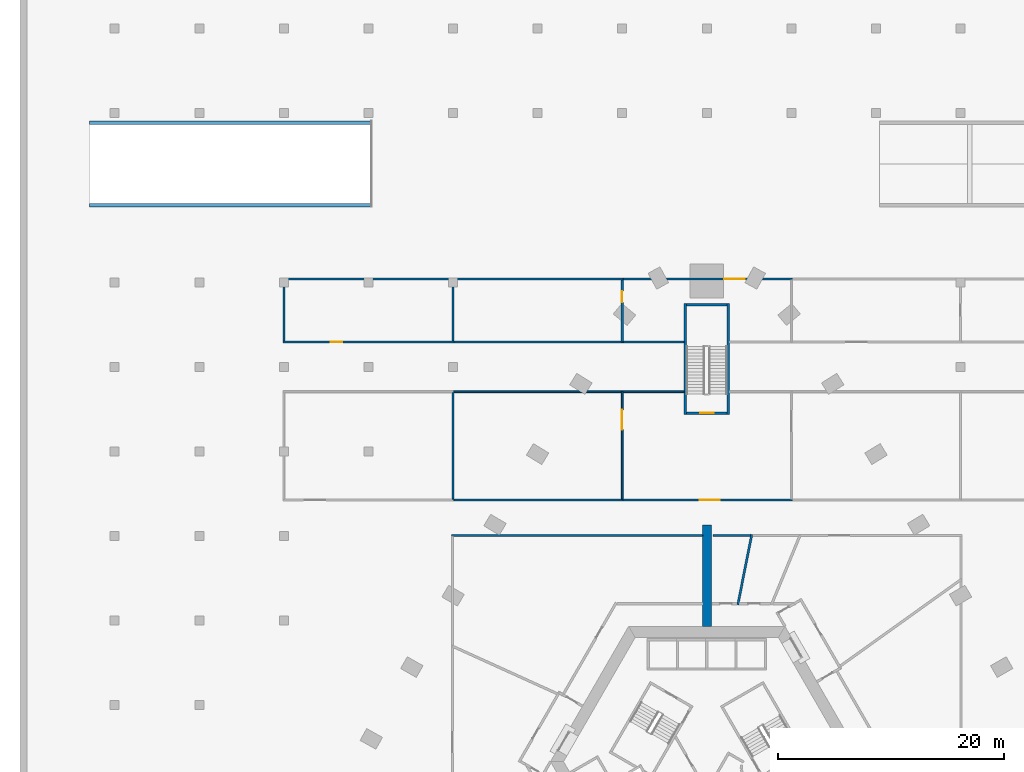
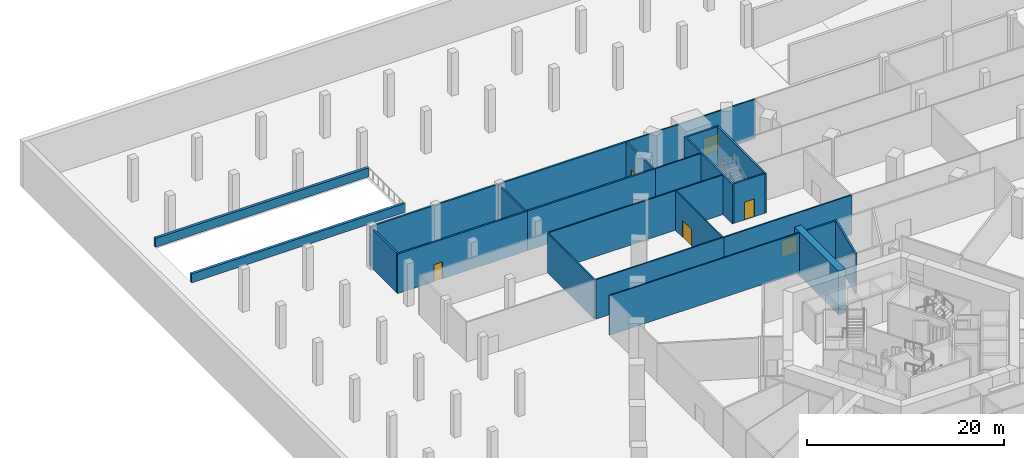
# One storey, part 11 of 20: 25 walls, 6 doors, 6 openings.
"""IFC4 building model written with IfcOpenShell, lengths in metres."""

from ifc_helpers import new_model, si_unit, direction, frame, frame_2d, origin, place, context, subcontext, project, spatial, rectangle, extrude, material, layer, layer_set, type_object, element, fill, save


model = new_model("IFC4")

# Units and contexts
model_context = context("Model", 3, precision=1e-05, world=origin(), true_north=direction((0.0, 1.0)))
body_context = subcontext(model_context, "Body", "Model", "MODEL_VIEW")
ifc_project = project(units=[si_unit("LENGTHUNIT", "METRE"), si_unit("AREAUNIT", "SQUARE_METRE"), si_unit("VOLUMEUNIT", "CUBIC_METRE"), si_unit("PLANEANGLEUNIT", "RADIAN"), si_unit("MASSUNIT", "GRAM", prefix="KILO")], contexts=[model_context])

# Site, building, storey
site_placement = place(None, origin())
site = spatial("IfcSite", under=ifc_project, at=site_placement, CompositionType="ELEMENT")
building_placement = place(site_placement, origin())
building = spatial("IfcBuilding", under=site, at=building_placement, Name="Entoto Arch Interchange Tower", CompositionType="ELEMENT")
storey_placement = place(building_placement, frame((0.0, 0.0, -5.5)))
storey = spatial("IfcBuildingStorey", under=building, at=storey_placement, Name="B1", CompositionType="ELEMENT", Elevation=-5.5)

# Walls
ifc_material_1 = material(Name="Concrete C60/75", Category="concrete")
ifc_layer_1 = layer(ifc_material_1, 0.800048828125)
ifc_layer_set_1 = layer_set([ifc_layer_1], Name="Concrete C60/75")
wall_type_1 = type_object("IfcWallType", Name="Buttress wall 800 C60/75", PredefinedType="SHEAR", material=ifc_layer_set_1)
wall_1_placement = place(storey_placement, frame((0.0, 14.5, -0.419921875), z_axis=(0.0, 0.0, 1.0), x_axis=(0.0, 1.0, 0.0)))
element("IfcWall", 1, at=wall_1_placement, inside=storey, type_object=wall_type_1, Name="Buttress wall N B1", PredefinedType="SHEAR", context=body_context, shape_type="SweptSolid", body=[
    extrude(rectangle(XDim=9.0, YDim=0.800048828125, at=frame_2d((4.5, 0.0))), origin(), (0.0, 0.0, 1.0), 5.419921875),
])
ifc_material_2 = material(Name="Concrete C40/50", Category="concrete")
ifc_layer_2 = layer(ifc_material_2, 0.300048828125)
ifc_layer_set_2 = layer_set([ifc_layer_2], Name="Concrete C40/50")
wall_type_2 = type_object("IfcWallType", Name="Car ramp kerb wall 300 C40/50", PredefinedType="SOLIDWALL", material=ifc_layer_set_2)
for number, where, z_axis, x_axis, name in (
    (2, (-54.75, 51.85009765625, 0.0), (0.0, 0.0, 1.0), (1.0, 0.0, 0.0), "Car ramp R2 parapet wall"),
    (3, (-54.75, 59.14990234375, 0.0), (0.0, 0.0, 1.0), (1.0, 0.0, 0.0), "Car ramp R2 parapet wall"),
):
    element("IfcWall", number, at=place(storey_placement, frame(where, z_axis=z_axis, x_axis=x_axis)), inside=storey, type_object=wall_type_2, Name=name, PredefinedType="SOLIDWALL", context=body_context, shape_type="SweptSolid", body=[
        extrude(rectangle(XDim=25.0, YDim=0.300048828125, at=frame_2d((12.5, 0.0))), origin(), (0.0, 0.0, 1.0), 1.10009765625),
    ])
ifc_material_3 = material(Name="Gypsum board partition on steel studs", Category="steel")
ifc_layer_3 = layer(ifc_material_3, 0.14990234375)
ifc_layer_set_3 = layer_set([ifc_layer_3], Name="Gypsum board partition on steel studs")
wall_type_3 = type_object("IfcWallType", Name="PARTITION 150", PredefinedType="PARTITIONING", material=ifc_layer_set_3)
wall_2_placement = place(storey_placement, frame((-22.625, 22.550048828125, 0.0), z_axis=(0.0, 0.0, 1.0), x_axis=(1.0, 0.0, 0.0)))
element("IfcWall", 4, at=wall_2_placement, inside=storey, type_object=wall_type_3, Name="wall:B1:p049", PredefinedType="PARTITIONING", context=body_context, shape_type="SweptSolid", body=[
    extrude(rectangle(XDim=22.25, YDim=0.14990234375, at=frame_2d((11.125, 0.0))), origin(), (0.0, 0.0, 1.0), 4.89990234375),
])
for number, where, z_axis, x_axis, name in (
    (5, (-22.425048828125, 35.300048828125, 0.0), (0.0, 0.0, 1.0), (1.0, 0.0, 0.0), "wall:B1:p080"),
    (6, (-7.425048828125, 25.699951171875, 0.0), (0.0, 0.0, 1.0), (-1.0, 0.0, 0.0), "wall:B1:p081"),
):
    element("IfcWall", number, at=place(storey_placement, frame(where, z_axis=z_axis, x_axis=x_axis)), inside=storey, type_object=wall_type_3, Name=name, PredefinedType="PARTITIONING", context=body_context, shape_type="SweptSolid", body=[
        extrude(rectangle(XDim=15.0, YDim=0.14990234375, at=frame_2d((7.5, 0.0))), origin(), (0.0, 0.0, 1.0), 4.89990234375),
    ])
wall_3_placement = place(storey_placement, frame((-7.425048828125, 35.300048828125, 0.0), z_axis=(0.0, 0.0, 1.0), x_axis=(1.0, 0.0, 0.0)))
element("IfcWall", 7, at=wall_3_placement, inside=storey, type_object=wall_type_3, Name="wall:B1:p082", PredefinedType="PARTITIONING", context=body_context, shape_type="SweptSolid", body=[
    extrude(rectangle(XDim=5.425048828125, YDim=0.14990234375, at=frame_2d((2.71240234375, 0.0))), origin(), (0.0, 0.0, 1.0), 4.89990234375),
])

# Wall, opening, door
wall_4_placement = place(storey_placement, frame((7.574951171875, 25.699951171875, 0.0), z_axis=(0.0, 0.0, 1.0), x_axis=(-1.0, 0.0, 0.0)))
wall_4 = element("IfcWall", 8, at=wall_4_placement, inside=storey, type_object=wall_type_3, Name="wall:B1:p084", PredefinedType="PARTITIONING", context=body_context, shape_type="SweptSolid", body=[
    extrude(rectangle(XDim=15.0, YDim=0.14990234375, at=frame_2d((7.5, 0.0))), origin(), (0.0, 0.0, 1.0), 4.89990234375),
])
opening_1_placement = place(wall_4_placement, frame((6.405029296875, 0.0, 0.0)))
opening_1 = element("IfcOpeningElement", 9, at=opening_1_placement, cuts=wall_4, Name="Opening B1-D31", PredefinedType="OPENING", context=body_context, shape_type="SweptSolid", body=[
    extrude(rectangle(XDim=1.800048828125, YDim=2.10009765625, at=frame_2d((0.89990234375, 1.050048828125))), frame((0.0, 0.0849609375, 0.0), z_axis=(0.0, -1.0, 0.0), x_axis=(1.0, 0.0, 0.0)), (0.0, 0.0, 1.0), 0.169921875),
])
ifc_material_4 = material(Name="Timber door leaf in Steel S235 frame", Category="steel")
door_type_1 = type_object("IfcDoorType", Name="DOOR DD-18 1800x2100", OperationType="DOUBLE_DOOR_SINGLE_SWING", PredefinedType="DOOR", material=ifc_material_4)
door_1_placement = place(opening_1_placement, origin())
door_1 = element("IfcDoor", 10, at=door_1_placement, inside=storey, type_object=door_type_1, Name="door:B1:31", OperationType="DOUBLE_DOOR_SINGLE_SWING", OverallHeight=2.10009765625, OverallWidth=1.800048828125, PredefinedType="DOOR", context=body_context, shape_type="SweptSolid", body=[
    extrude(rectangle(XDim=1.800048828125, YDim=2.10009765625, at=frame_2d((0.89990234375, 1.050048828125))), frame((0.0, 0.02490234375, 0.0), z_axis=(0.0, -1.0, 0.0), x_axis=(1.0, 0.0, 0.0)), (0.0, 0.0, 1.0), 0.050048828125),
])
fill(opening_1, door_1)

wall_5_placement = place(storey_placement, frame((-7.39990234375, 45.300048828125, 0.0), z_axis=(0.0, 0.0, 1.0), x_axis=(1.0, 0.0, 0.0)))
wall_5 = element("IfcWall", 11, at=wall_5_placement, inside=storey, type_object=wall_type_3, Name="wall:B1:p095", PredefinedType="PARTITIONING", context=body_context, shape_type="SweptSolid", body=[
    extrude(rectangle(XDim=14.974853515625, YDim=0.14990234375, at=frame_2d((7.4873046875, 0.0))), origin(), (0.0, 0.0, 1.0), 4.89990234375),
])
opening_2_placement = place(wall_5_placement, frame((8.949951171875, 0.0, 0.0)))
opening_2 = element("IfcOpeningElement", 12, at=opening_2_placement, cuts=wall_5, Name="Opening B1-D36", PredefinedType="OPENING", context=body_context, shape_type="SweptSolid", body=[
    extrude(rectangle(XDim=1.800048828125, YDim=2.10009765625, at=frame_2d((0.89990234375, 1.050048828125))), frame((0.0, 0.0849609375, 0.0), z_axis=(0.0, -1.0, 0.0), x_axis=(1.0, 0.0, 0.0)), (0.0, 0.0, 1.0), 0.169921875),
])
door_2_placement = place(opening_2_placement, origin())
door_2 = element("IfcDoor", 13, at=door_2_placement, inside=storey, type_object=door_type_1, Name="door:B1:36", OperationType="DOUBLE_DOOR_SINGLE_SWING", OverallHeight=2.10009765625, OverallWidth=1.800048828125, PredefinedType="DOOR", context=body_context, shape_type="SweptSolid", body=[
    extrude(rectangle(XDim=1.800048828125, YDim=2.10009765625, at=frame_2d((0.89990234375, 1.050048828125))), frame((0.0, 0.02490234375, 0.0), z_axis=(0.0, -1.0, 0.0), x_axis=(1.0, 0.0, 0.0)), (0.0, 0.0, 1.0), 0.050048828125),
])
fill(opening_2, door_2)

# Walls
wall_6_placement = place(storey_placement, frame((-2.0, 39.699951171875, 0.0), z_axis=(0.0, 0.0, 1.0), x_axis=(-1.0, 0.0, 0.0)))
element("IfcWall", 14, at=wall_6_placement, inside=storey, type_object=wall_type_3, Name="wall:B1:p097", PredefinedType="PARTITIONING", context=body_context, shape_type="SweptSolid", body=[
    extrude(rectangle(XDim=5.39990234375, YDim=0.14990234375, at=frame_2d((2.699951171875, 0.0))), origin(), (0.0, 0.0, 1.0), 4.89990234375),
])
wall_7_placement = place(storey_placement, frame((-22.5, 35.22509765625, 0.0), z_axis=(0.0, 0.0, 1.0), x_axis=(0.0, -1.0, 0.0)))
element("IfcWall", 15, at=wall_7_placement, inside=storey, type_object=wall_type_3, Name="wall:B1:p123", PredefinedType="PARTITIONING", context=body_context, shape_type="SweptSolid", body=[
    extrude(rectangle(XDim=9.4501953125, YDim=0.14990234375, at=frame_2d((4.72509765625, 0.0))), origin(), (0.0, 0.0, 1.0), 4.89990234375),
])

# Wall, opening, door
wall_8_placement = place(storey_placement, frame((-7.5, 35.300048828125, 0.0), z_axis=(0.0, 0.0, 1.0), x_axis=(0.0, -1.0, 0.0)))
wall_8 = element("IfcWall", 16, at=wall_8_placement, inside=storey, type_object=wall_type_3, Name="wall:B1:p124", PredefinedType="PARTITIONING", context=body_context, shape_type="SweptSolid", body=[
    extrude(rectangle(XDim=9.525146484375, YDim=0.14990234375, at=frame_2d((4.7626953125, 0.0))), origin(), (0.0, 0.0, 1.0), 4.89990234375),
])
opening_3_placement = place(wall_8_placement, frame((1.580078125, 0.0, 0.0)))
opening_3 = element("IfcOpeningElement", 17, at=opening_3_placement, cuts=wall_8, Name="Opening B1-D30", PredefinedType="OPENING", context=body_context, shape_type="SweptSolid", body=[
    extrude(rectangle(XDim=1.800048828125, YDim=2.10009765625, at=frame_2d((0.89990234375, 1.050048828125))), frame((0.0, 0.0849609375, 0.0), z_axis=(0.0, -1.0, 0.0), x_axis=(1.0, 0.0, 0.0)), (0.0, 0.0, 1.0), 0.169921875),
])
door_3_placement = place(opening_3_placement, origin())
door_3 = element("IfcDoor", 18, at=door_3_placement, inside=storey, type_object=door_type_1, Name="door:B1:30", OperationType="DOUBLE_DOOR_SINGLE_SWING", OverallHeight=2.10009765625, OverallWidth=1.800048828125, PredefinedType="DOOR", context=body_context, shape_type="SweptSolid", body=[
    extrude(rectangle(XDim=1.800048828125, YDim=2.10009765625, at=frame_2d((0.89990234375, 1.050048828125))), frame((0.0, 0.02490234375, 0.0), z_axis=(0.0, -1.0, 0.0), x_axis=(1.0, 0.0, 0.0)), (0.0, 0.0, 1.0), 0.050048828125),
])
fill(opening_3, door_3)

# Walls
ifc_layer_4 = layer(ifc_material_3, 0.199951171875)
ifc_layer_set_4 = layer_set([ifc_layer_4], Name="Gypsum board partition on steel studs")
wall_type_4 = type_object("IfcWallType", Name="PARTITION 200", PredefinedType="PARTITIONING", material=ifc_layer_set_4)
wall_9_placement = place(storey_placement, frame((0.550048828125, 22.550048828125, 0.0), z_axis=(0.0, 0.0, 1.0), x_axis=(1.0, 0.0, 0.0)))
element("IfcWall", 19, at=wall_9_placement, inside=storey, type_object=wall_type_4, Name="wall:B1:p044", PredefinedType="PARTITIONING", context=body_context, shape_type="SweptSolid", body=[
    extrude(rectangle(XDim=3.320068359375, YDim=0.199951171875, at=frame_2d((1.66015625, 0.0))), origin(), (0.0, 0.0, 1.0), 4.89990234375),
])
wall_10_placement = place(storey_placement, frame((-37.60009765625, 45.300048828125, 0.0), z_axis=(0.0, 0.0, 1.0), x_axis=(1.0, 0.0, 0.0)))
element("IfcWall", 20, at=wall_10_placement, inside=storey, type_object=wall_type_4, Name="wall:B1:p090", PredefinedType="PARTITIONING", context=body_context, shape_type="SweptSolid", body=[
    extrude(rectangle(XDim=15.2001953125, YDim=0.199951171875, at=frame_2d((7.60009765625, 0.0))), origin(), (0.0, 0.0, 1.0), 4.89990234375),
])

# Wall, opening, door
wall_11_placement = place(storey_placement, frame((-22.39990234375, 39.699951171875, 0.0), z_axis=(0.0, 0.0, 1.0), x_axis=(-1.0, 0.0, 0.0)))
wall_11 = element("IfcWall", 21, at=wall_11_placement, inside=storey, type_object=wall_type_4, Name="wall:B1:p091", PredefinedType="PARTITIONING", context=body_context, shape_type="SweptSolid", body=[
    extrude(rectangle(XDim=15.2001953125, YDim=0.199951171875, at=frame_2d((7.60009765625, 0.0))), origin(), (0.0, 0.0, 1.0), 4.89990234375),
])
opening_4_placement = place(wall_11_placement, frame((9.929931640625, 0.0, 0.0)))
opening_4 = element("IfcOpeningElement", 22, at=opening_4_placement, cuts=wall_11, Name="Opening B1-D34", PredefinedType="OPENING", context=body_context, shape_type="SweptSolid", body=[
    extrude(rectangle(XDim=1.0, YDim=2.10009765625, at=frame_2d((0.5, 1.050048828125))), frame((0.0, 0.10986328125, 0.0), z_axis=(0.0, -1.0, 0.0), x_axis=(1.0, 0.0, 0.0)), (0.0, 0.0, 1.0), 0.219970703125),
])
door_type_2 = type_object("IfcDoorType", Name="DOOR DS-10 1000x2100", OperationType="SINGLE_SWING_LEFT", PredefinedType="DOOR", material=ifc_material_4)
door_4_placement = place(opening_4_placement, origin())
door_4 = element("IfcDoor", 23, at=door_4_placement, inside=storey, type_object=door_type_2, Name="door:B1:34", OperationType="SINGLE_SWING_RIGHT", OverallHeight=2.10009765625, OverallWidth=1.0, PredefinedType="DOOR", context=body_context, shape_type="SweptSolid", body=[
    extrude(rectangle(XDim=1.0, YDim=2.10009765625, at=frame_2d((0.5, 1.050048828125))), frame((0.0, 0.02490234375, 0.0), z_axis=(0.0, -1.0, 0.0), x_axis=(1.0, 0.0, 0.0)), (0.0, 0.0, 1.0), 0.050048828125),
])
fill(opening_4, door_4)

# Walls
wall_12_placement = place(storey_placement, frame((-37.5, 39.800048828125, 0.0), z_axis=(0.0, 0.0, 1.0), x_axis=(0.0, 1.0, 0.0)))
element("IfcWall", 24, at=wall_12_placement, inside=storey, type_object=wall_type_4, Name="wall:B1:p092", PredefinedType="PARTITIONING", context=body_context, shape_type="SweptSolid", body=[
    extrude(rectangle(XDim=5.39990234375, YDim=0.199951171875, at=frame_2d((2.699951171875, 0.0))), origin(), (0.0, 0.0, 1.0), 4.89990234375),
])
for number, where, z_axis, x_axis, name in (
    (25, (-22.39990234375, 45.300048828125, 0.0), (0.0, 0.0, 1.0), (1.0, 0.0, 0.0), "wall:B1:p093"),
    (26, (-7.39990234375, 39.699951171875, 0.0), (0.0, 0.0, 1.0), (-1.0, 0.0, 0.0), "wall:B1:p094"),
):
    element("IfcWall", number, at=place(storey_placement, frame(where, z_axis=z_axis, x_axis=x_axis)), inside=storey, type_object=wall_type_4, Name=name, PredefinedType="PARTITIONING", context=body_context, shape_type="SweptSolid", body=[
        extrude(rectangle(XDim=15.0, YDim=0.199951171875, at=frame_2d((7.5, 0.0))), origin(), (0.0, 0.0, 1.0), 4.89990234375),
    ])
wall_13_placement = place(storey_placement, frame((2.7529296875, 16.402099609375, 0.0), z_axis=(0.0, 0.0, 1.0), x_axis=(0.194139507047, 0.980973930236, 0.0)))
element("IfcWall", 27, at=wall_13_placement, inside=storey, type_object=wall_type_4, Name="wall:B1:p103", PredefinedType="PARTITIONING", context=body_context, shape_type="SweptSolid", body=[
    extrude(rectangle(XDim=6.366943359375, YDim=0.199951171875, at=frame_2d((3.18359375, 0.0))), origin(), (0.0, 0.0, 1.0), 4.89990234375),
])
wall_14_placement = place(storey_placement, frame((-22.5, 45.199951171875, 0.0), z_axis=(0.0, 0.0, 1.0), x_axis=(0.0, -1.0, 0.0)))
element("IfcWall", 28, at=wall_14_placement, inside=storey, type_object=wall_type_4, Name="wall:B1:p127", PredefinedType="PARTITIONING", context=body_context, shape_type="SweptSolid", body=[
    extrude(rectangle(XDim=5.39990234375, YDim=0.199951171875, at=frame_2d((2.699951171875, 0.0))), origin(), (0.0, 0.0, 1.0), 4.89990234375),
])

# Wall, opening, door
wall_15_placement = place(storey_placement, frame((-7.5, 45.199951171875, 0.0), z_axis=(0.0, 0.0, 1.0), x_axis=(0.0, -1.0, 0.0)))
wall_15 = element("IfcWall", 29, at=wall_15_placement, inside=storey, type_object=wall_type_4, Name="wall:B1:p128", PredefinedType="PARTITIONING", context=body_context, shape_type="SweptSolid", body=[
    extrude(rectangle(XDim=5.474853515625, YDim=0.199951171875, at=frame_2d((2.7373046875, 0.0))), origin(), (0.0, 0.0, 1.0), 4.89990234375),
])
opening_5_placement = place(wall_15_placement, frame((0.97998046875, 0.0, 0.0)))
opening_5 = element("IfcOpeningElement", 30, at=opening_5_placement, cuts=wall_15, Name="Opening B1-D35", PredefinedType="OPENING", context=body_context, shape_type="SweptSolid", body=[
    extrude(rectangle(XDim=1.0, YDim=2.10009765625, at=frame_2d((0.5, 1.050048828125))), frame((0.0, 0.10986328125, 0.0), z_axis=(0.0, -1.0, 0.0), x_axis=(1.0, 0.0, 0.0)), (0.0, 0.0, 1.0), 0.219970703125),
])
ifc_material_5 = material(Name="Fire-rated Steel S235 door and frame", Category="steel")
door_type_3 = type_object("IfcDoorType", Name="DOOR FD-10 1000x2100", OperationType="SINGLE_SWING_LEFT", PredefinedType="DOOR", material=ifc_material_5)
door_5_placement = place(opening_5_placement, origin())
door_5 = element("IfcDoor", 31, at=door_5_placement, inside=storey, type_object=door_type_3, Name="door:B1:35", OperationType="SINGLE_SWING_LEFT", OverallHeight=2.10009765625, OverallWidth=1.0, PredefinedType="DOOR", context=body_context, shape_type="SweptSolid", body=[
    extrude(rectangle(XDim=1.0, YDim=2.10009765625, at=frame_2d((0.5, 1.050048828125))), frame((0.0, 0.02490234375, 0.0), z_axis=(0.0, -1.0, 0.0), x_axis=(1.0, 0.0, 0.0)), (0.0, 0.0, 1.0), 0.050048828125),
])
fill(opening_5, door_5)

# Walls
ifc_layer_5 = layer(ifc_material_2, 0.199951171875)
ifc_layer_set_5 = layer_set([ifc_layer_5], Name="Concrete C40/50")
wall_type_5 = type_object("IfcWallType", Name="STAIR ENCLOSURE WALL 200", PredefinedType="STANDARD", material=ifc_layer_set_5)
for number, where, z_axis, x_axis, name in (
    (32, (1.89990234375, 33.300048828125, 0.0), (0.0, 0.0, 1.0), (0.0, 1.0, 0.0), "Stair wall PST-N left"),
    (33, (-1.89990234375, 33.300048828125, 0.0), (0.0, 0.0, 1.0), (0.0, 1.0, 0.0), "Stair wall PST-N right"),
):
    element("IfcWall", number, at=place(storey_placement, frame(where, z_axis=z_axis, x_axis=x_axis)), inside=storey, type_object=wall_type_5, Name=name, PredefinedType="STANDARD", context=body_context, shape_type="SweptSolid", body=[
        extrude(rectangle(XDim=9.800048828125, YDim=0.199951171875, at=frame_2d((4.89990234375, 0.0))), origin(), (0.0, 0.0, 1.0), 4.89990234375),
    ])

# Wall, opening, door
wall_16_placement = place(storey_placement, frame((1.800048828125, 33.39990234375, 0.0), z_axis=(0.0, 0.0, 1.0), x_axis=(-1.0, 0.0, 0.0)))
wall_16 = element("IfcWall", 34, at=wall_16_placement, inside=storey, type_object=wall_type_5, Name="Stair wall PST-N near", PredefinedType="STANDARD", context=body_context, shape_type="SweptSolid", body=[
    extrude(rectangle(XDim=3.60009765625, YDim=0.199951171875, at=frame_2d((1.800048828125, 0.0))), origin(), (0.0, 0.0, 1.0), 4.89990234375),
])
opening_6_placement = place(wall_16_placement, frame((1.199951171875, 0.0, 0.0)))
opening_6 = element("IfcOpeningElement", 35, at=opening_6_placement, cuts=wall_16, Name="Opening SD-PST-N-B1", PredefinedType="OPENING", context=body_context, shape_type="SweptSolid", body=[
    extrude(rectangle(XDim=1.199951171875, YDim=2.199951171875, at=frame_2d((0.60009765625, 1.10009765625))), frame((0.0, 0.10986328125, 0.0), z_axis=(0.0, -1.0, 0.0), x_axis=(1.0, 0.0, 0.0)), (0.0, 0.0, 1.0), 0.219970703125),
])
ifc_material_6 = material(Name="Steel S235", Category="steel")
door_type_4 = type_object("IfcDoorType", Name="STAIR DOOR SD2 1200x2200", OperationType="SINGLE_SWING_LEFT", PredefinedType="DOOR", material=ifc_material_6)
door_6_placement = place(opening_6_placement, origin())
door_6 = element("IfcDoor", 36, at=door_6_placement, inside=storey, type_object=door_type_4, Name="Stair door PST-N B1", OperationType="SINGLE_SWING_LEFT", OverallHeight=2.199951171875, OverallWidth=1.199951171875, PredefinedType="DOOR", context=body_context, shape_type="SweptSolid", body=[
    extrude(rectangle(XDim=1.199951171875, YDim=2.199951171875, at=frame_2d((0.60009765625, 1.10009765625))), frame((0.0, 0.02490234375, 0.0), z_axis=(0.0, -1.0, 0.0), x_axis=(1.0, 0.0, 0.0)), (0.0, 0.0, 1.0), 0.050048828125),
])
fill(opening_6, door_6)

# Wall
wall_17_placement = place(storey_placement, frame((1.800048828125, 43.0, 0.0), z_axis=(0.0, 0.0, 1.0), x_axis=(-1.0, 0.0, 0.0)))
element("IfcWall", 37, at=wall_17_placement, inside=storey, type_object=wall_type_5, Name="Stair wall PST-N far", PredefinedType="STANDARD", context=body_context, shape_type="SweptSolid", body=[
    extrude(rectangle(XDim=3.60009765625, YDim=0.199951171875, at=frame_2d((1.800048828125, 0.0))), origin(), (0.0, 0.0, 1.0), 4.89990234375),
])

save(model, "model.ifc")
